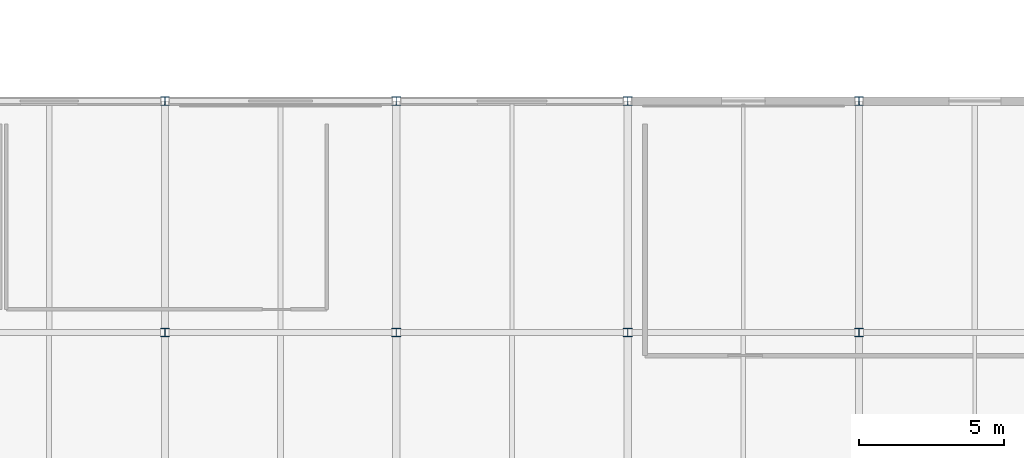
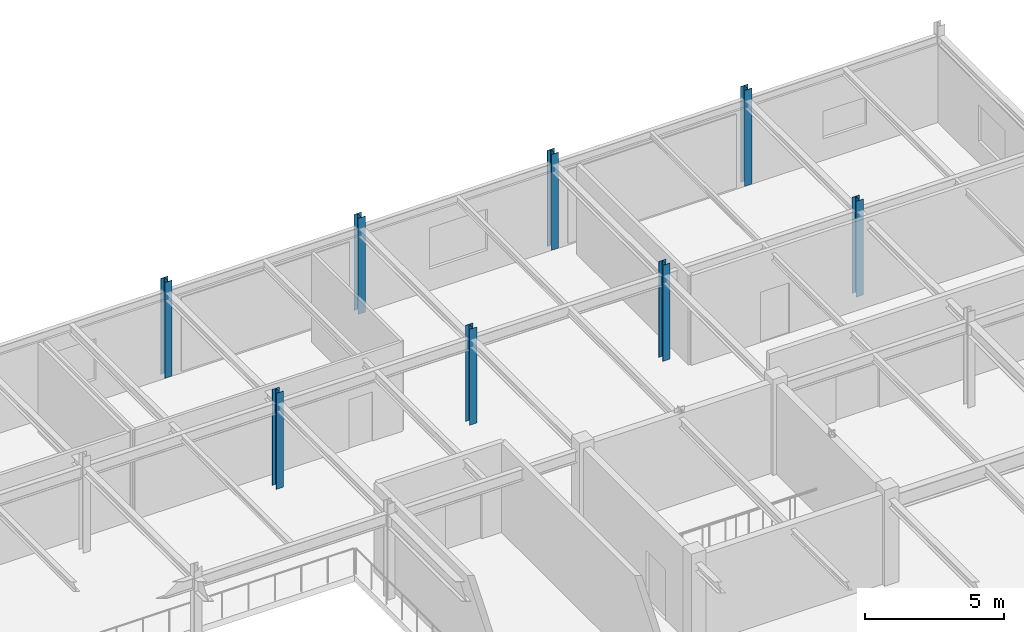
# One storey, part 11 of 88: 8 columns.
"""IFC4 building model written with IfcOpenShell, lengths in metres."""

from ifc_helpers import new_model, si_unit, direction, frame, origin, origin_2d, place, context, subcontext, project, spatial, i_section, extrude, material, material_profile, profile_set, type_object, element, save


model = new_model("IFC4")

# Units and contexts
model_context = context("Model", 3, precision=1e-05, world=origin(), true_north=direction((0.0, 1.0)))
body_context = subcontext(model_context, "Body", "Model", "MODEL_VIEW")
ifc_project = project(units=[si_unit("LENGTHUNIT", "METRE"), si_unit("AREAUNIT", "SQUARE_METRE"), si_unit("VOLUMEUNIT", "CUBIC_METRE"), si_unit("PLANEANGLEUNIT", "RADIAN"), si_unit("MASSUNIT", "GRAM", prefix="KILO")], contexts=[model_context])

# Site, building, storey
site_placement = place(None, origin())
site = spatial("IfcSite", under=ifc_project, at=site_placement, CompositionType="ELEMENT")
building_placement = place(site_placement, origin())
building = spatial("IfcBuilding", under=site, at=building_placement, Name="Zhaolan Boulevard Law Courts", CompositionType="ELEMENT")
storey_placement = place(building_placement, frame((0.0, 0.0, 16.199951171875)))
storey = spatial("IfcBuildingStorey", under=building, at=storey_placement, Name="L03", CompositionType="ELEMENT", Elevation=16.199951171875)

# Columns
ifc_material = material(Name="Structural steel Q355B", Category="steel")
ifc_material_profile = material_profile(ifc_material, i_section(OverallWidth=0.300048828125, OverallDepth=0.300048828125, WebThickness=0.010009765625, FlangeThickness=0.014892578125, FilletRadius=0.01806640625, at=origin_2d()), Name="HW300x300")
ifc_profile_set = profile_set([ifc_material_profile], Name="Structural steel Q355B")
column_type = type_object("IfcColumnType", Name="COL HW300", PredefinedType="COLUMN", material=ifc_profile_set)
for number, where, z_axis, x_axis, name in (
    (1, (132.0, 86.0, 0.0), (0.0, 0.0, 1.0), (1.0, 0.0, 0.0), "Column C-17M (L03)"),
    (2, (132.0, 94.0, 0.0), (0.0, 0.0, 1.0), (1.0, 0.0, 0.0), "Column C-17N (L03)"),
    (3, (140.0, 86.0, 0.0), (0.0, 0.0, 1.0), (1.0, 0.0, 0.0), "Column C-18M (L03)"),
    (4, (140.0, 94.0, 0.0), (0.0, 0.0, 1.0), (1.0, 0.0, 0.0), "Column C-18N (L03)"),
    (5, (148.0, 86.0, 0.0), (0.0, 0.0, 1.0), (1.0, 0.0, 0.0), "Column C-19M (L03)"),
    (6, (148.0, 94.0, 0.0), (0.0, 0.0, 1.0), (1.0, 0.0, 0.0), "Column C-19N (L03)"),
    (7, (156.0, 86.0, 0.0), (0.0, 0.0, 1.0), (1.0, 0.0, 0.0), "Column C-20M (L03)"),
    (8, (156.0, 94.0, 0.0), (0.0, 0.0, 1.0), (1.0, 0.0, 0.0), "Column C-20N (L03)"),
):
    element("IfcColumn", number, at=place(storey_placement, frame(where, z_axis=z_axis, x_axis=x_axis)), inside=storey, type_object=column_type, Name=name, PredefinedType="COLUMN", context=body_context, shape_type="SweptSolid", body=[
        extrude(i_section(OverallWidth=0.300048828125, OverallDepth=0.300048828125, WebThickness=0.010009765625, FlangeThickness=0.014892578125, FilletRadius=0.01806640625, at=origin_2d()), origin(), (0.0, 0.0, 1.0), 4.199951171875),
    ])

save(model, "model.ifc")
